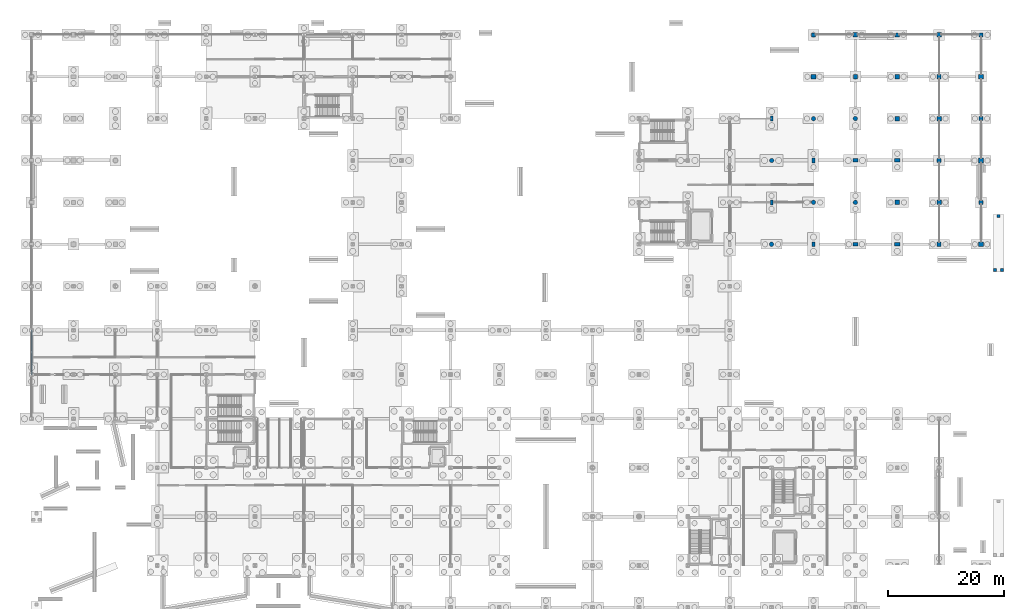
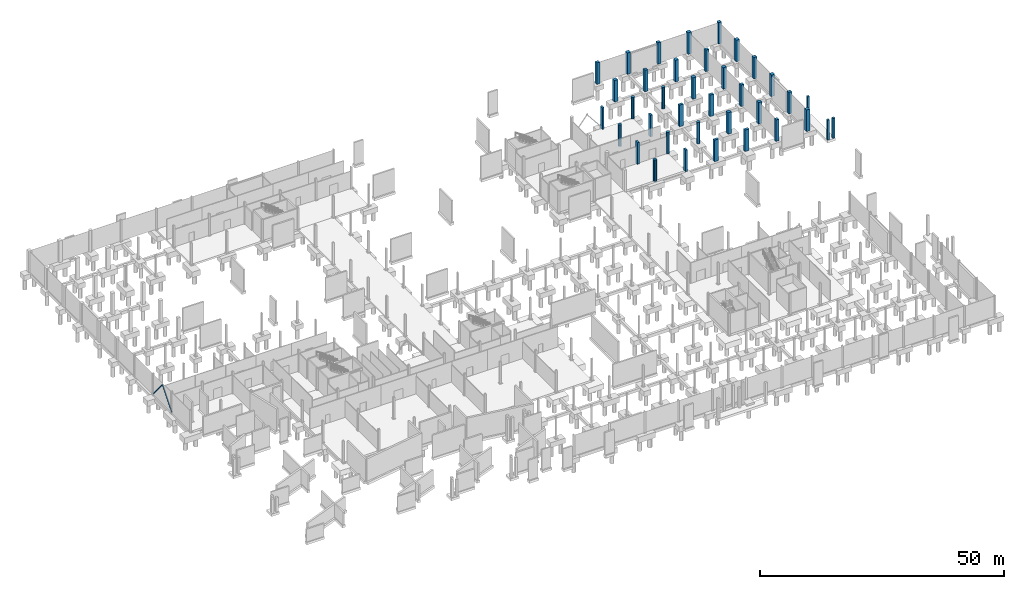
# One storey, part 32 of 61: 37 columns, 2 members.
"""IFC4 building model written with IfcOpenShell, lengths in metres."""

from ifc_helpers import new_model, si_unit, direction, frame, origin, origin_2d, place, context, subcontext, project, spatial, rectangle, circle, hollow_circle, extrude, material, material_profile, profile_set, type_object, element, save


model = new_model("IFC4")

# Units and contexts
model_context = context("Model", 3, precision=1e-05, world=origin(), true_north=direction((0.0, 1.0)))
body_context = subcontext(model_context, "Body", "Model", "MODEL_VIEW")
ifc_project = project(units=[si_unit("LENGTHUNIT", "METRE"), si_unit("AREAUNIT", "SQUARE_METRE"), si_unit("VOLUMEUNIT", "CUBIC_METRE"), si_unit("PLANEANGLEUNIT", "RADIAN"), si_unit("MASSUNIT", "GRAM", prefix="KILO")], contexts=[model_context])

# Site, building, storey
site_placement = place(None, origin())
site = spatial("IfcSite", under=ifc_project, at=site_placement, CompositionType="ELEMENT")
building_placement = place(site_placement, origin())
building = spatial("IfcBuilding", under=site, at=building_placement, Name="Calvrana Isthmian Art Gallery", CompositionType="ELEMENT")
storey_placement = place(building_placement, frame((0.0, 0.0, -5.39990234375)))
storey = spatial("IfcBuildingStorey", under=building, at=storey_placement, Name="B1", CompositionType="ELEMENT", Elevation=-5.39990234375)

# Columns
ifc_material_1 = material(Name="Concrete C40/50", Category="concrete")
ifc_material_profile_1 = material_profile(ifc_material_1, rectangle(XDim=0.449951171875, YDim=0.85009765625, at=origin_2d()), Name="RC450X850")
ifc_profile_set_1 = profile_set([ifc_material_profile_1], Name="Concrete C40/50")
column_type_1 = type_object("IfcColumnType", Name="COL-RC-RC450X850", PredefinedType="COLUMN", material=ifc_profile_set_1)
for number, where, z_axis, x_axis, name in (
    (1, (127.199951171875, 84.0, 0.0), (0.0, 0.0, 1.0), (1.0, 0.0, 0.0), "Column 17/L B1"),
    (2, (127.199951171875, 98.39990234375, 0.0), (0.0, 0.0, 1.0), (1.0, 0.0, 0.0), "Column 17/N B1"),
    (3, (134.39990234375, 76.800048828125, 0.0), (0.0, 0.0, 1.0), (1.0, 0.0, 0.0), "Column 18/K B1"),
    (4, (134.39990234375, 91.199951171875, 0.0), (0.0, 0.0, 1.0), (1.0, 0.0, 0.0), "Column 18/M B1"),
):
    element("IfcColumn", number, at=place(storey_placement, frame(where, z_axis=z_axis, x_axis=x_axis)), inside=storey, type_object=column_type_1, Name=name, PredefinedType="COLUMN", context=body_context, shape_type="SweptSolid", body=[
        extrude(rectangle(XDim=0.449951171875, YDim=0.85009765625, at=origin_2d()), origin(), (0.0, 0.0, 1.0), 5.39990234375),
    ])
ifc_material_profile_2 = material_profile(ifc_material_1, rectangle(XDim=0.5, YDim=0.5, at=origin_2d()), Name="RC500X500")
ifc_profile_set_2 = profile_set([ifc_material_profile_2], Name="Concrete C40/50")
column_type_2 = type_object("IfcColumnType", Name="COL-RC-RC500X500", PredefinedType="COLUMN", material=ifc_profile_set_2)
for number, where, z_axis, x_axis, name in (
    (5, (165.570068359375, 72.3701171875, -0.4501953125), (0.0, 0.0, 1.0), (1.0, 0.0, 0.0), "Apron pedestal SLB_APR_EAST_BENCH-A"),
    (6, (166.830078125, 72.3701171875, -0.4501953125), (0.0, 0.0, 1.0), (1.0, 0.0, 0.0), "Apron pedestal SLB_APR_EAST_BENCH-B"),
    (7, (166.199951171875, 81.6298828125, -0.4501953125), (0.0, 0.0, 1.0), (1.0, 0.0, 0.0), "Apron pedestal SLB_APR_EAST_BENCH-C"),
):
    element("IfcColumn", number, at=place(storey_placement, frame(where, z_axis=z_axis, x_axis=x_axis)), inside=storey, type_object=column_type_2, Name=name, PredefinedType="COLUMN", context=body_context, shape_type="SweptSolid", body=[
        extrude(rectangle(XDim=0.5, YDim=0.5, at=origin_2d()), origin(), (0.0, 0.0, 1.0), 5.0),
    ])
ifc_material_profile_3 = material_profile(ifc_material_1, rectangle(XDim=0.699951171875, YDim=0.699951171875, at=origin_2d()), Name="RC700X700")
ifc_profile_set_3 = profile_set([ifc_material_profile_3], Name="Concrete C40/50")
column_type_3 = type_object("IfcColumnType", Name="COL-RC-RC700X700", PredefinedType="COLUMN", material=ifc_profile_set_3)
for number, where, z_axis, x_axis, name in (
    (8, (134.39990234375, 112.800048828125, 0.0), (0.0, 0.0, 1.0), (1.0, 0.0, 0.0), "Column 18/P B1"),
    (9, (141.60009765625, 105.60009765625, 0.0), (0.0, 0.0, 1.0), (1.0, 0.0, 0.0), "Column 19/O B1"),
    (10, (148.800048828125, 112.800048828125, 0.0), (0.0, 0.0, 1.0), (1.0, 0.0, 0.0), "Column 20/P B1"),
    (11, (156.0, 76.800048828125, 0.0), (0.0, 0.0, 1.0), (1.0, 0.0, 0.0), "Column 21/K B1"),
    (12, (156.0, 91.199951171875, 0.0), (0.0, 0.0, 1.0), (1.0, 0.0, 0.0), "Column 21/M B1"),
    (13, (156.0, 105.60009765625, 0.0), (0.0, 0.0, 1.0), (1.0, 0.0, 0.0), "Column 21/O B1"),
    (14, (163.199951171875, 84.0, 0.0), (0.0, 0.0, 1.0), (1.0, 0.0, 0.0), "Column 22/L B1"),
    (15, (163.199951171875, 98.39990234375, 0.0), (0.0, 0.0, 1.0), (1.0, 0.0, 0.0), "Column 22/N B1"),
    (16, (163.199951171875, 112.800048828125, 0.0), (0.0, 0.0, 1.0), (1.0, 0.0, 0.0), "Column 22/P B1"),
):
    element("IfcColumn", number, at=place(storey_placement, frame(where, z_axis=z_axis, x_axis=x_axis)), inside=storey, type_object=column_type_3, Name=name, PredefinedType="COLUMN", context=body_context, shape_type="SweptSolid", body=[
        extrude(rectangle(XDim=0.699951171875, YDim=0.699951171875, at=origin_2d()), origin(), (0.0, 0.0, 1.0), 5.39990234375),
    ])
ifc_material_profile_4 = material_profile(ifc_material_1, circle(Radius=0.375, at=origin_2d()), Name="RC750D")
ifc_profile_set_4 = profile_set([ifc_material_profile_4], Name="Concrete C40/50")
column_type_4 = type_object("IfcColumnType", Name="COL-RC-RC750D", PredefinedType="COLUMN", material=ifc_profile_set_4)
for number, where, z_axis, x_axis, name in (
    (17, (127.199951171875, 76.800048828125, 0.0), (0.0, 0.0, 1.0), (1.0, 0.0, 0.0), "Column 17/K B1"),
    (18, (127.199951171875, 91.199951171875, 0.0), (0.0, 0.0, 1.0), (1.0, 0.0, 0.0), "Column 17/M B1"),
    (19, (134.39990234375, 84.0, 0.0), (0.0, 0.0, 1.0), (1.0, 0.0, 0.0), "Column 18/L B1"),
    (20, (134.39990234375, 98.39990234375, 0.0), (0.0, 0.0, 1.0), (1.0, 0.0, 0.0), "Column 18/N B1"),
    (21, (141.60009765625, 84.0, 0.0), (0.0, 0.0, 1.0), (1.0, 0.0, 0.0), "Column 19/L B1"),
    (22, (141.60009765625, 98.39990234375, 0.0), (0.0, 0.0, 1.0), (1.0, 0.0, 0.0), "Column 19/N B1"),
):
    element("IfcColumn", number, at=place(storey_placement, frame(where, z_axis=z_axis, x_axis=x_axis)), inside=storey, type_object=column_type_4, Name=name, PredefinedType="COLUMN", context=body_context, shape_type="SweptSolid", body=[
        extrude(circle(Radius=0.375, at=origin_2d()), origin(), (0.0, 0.0, 1.0), 5.39990234375),
    ])
ifc_material_profile_5 = material_profile(ifc_material_1, rectangle(XDim=0.800048828125, YDim=0.800048828125, at=origin_2d()), Name="RC800X800")
ifc_profile_set_5 = profile_set([ifc_material_profile_5], Name="Concrete C40/50")
column_type_5 = type_object("IfcColumnType", Name="COL-RC-RC800X800", PredefinedType="COLUMN", material=ifc_profile_set_5)
for number, where, z_axis, x_axis, name in (
    (23, (134.39990234375, 105.60009765625, 0.0), (0.0, 0.0, 1.0), (1.0, 0.0, 0.0), "Column 18/O B1"),
    (24, (141.60009765625, 112.800048828125, 0.0), (0.0, 0.0, 1.0), (1.0, 0.0, 0.0), "Column 19/P B1"),
    (25, (148.800048828125, 84.0, 0.0), (0.0, 0.0, 1.0), (1.0, 0.0, 0.0), "Column 20/L B1"),
    (26, (148.800048828125, 98.39990234375, 0.0), (0.0, 0.0, 1.0), (1.0, 0.0, 0.0), "Column 20/N B1"),
    (27, (148.800048828125, 105.60009765625, 0.0), (0.0, 0.0, 1.0), (1.0, 0.0, 0.0), "Column 20/O B1"),
    (28, (156.0, 84.0, 0.0), (0.0, 0.0, 1.0), (1.0, 0.0, 0.0), "Column 21/L B1"),
    (29, (156.0, 98.39990234375, 0.0), (0.0, 0.0, 1.0), (1.0, 0.0, 0.0), "Column 21/N B1"),
    (30, (156.0, 112.800048828125, 0.0), (0.0, 0.0, 1.0), (1.0, 0.0, 0.0), "Column 21/P B1"),
    (31, (163.199951171875, 76.800048828125, 0.0), (0.0, 0.0, 1.0), (1.0, 0.0, 0.0), "Column 22/K B1"),
    (32, (163.199951171875, 91.199951171875, 0.0), (0.0, 0.0, 1.0), (1.0, 0.0, 0.0), "Column 22/M B1"),
    (33, (163.199951171875, 105.60009765625, 0.0), (0.0, 0.0, 1.0), (1.0, 0.0, 0.0), "Column 22/O B1"),
):
    element("IfcColumn", number, at=place(storey_placement, frame(where, z_axis=z_axis, x_axis=x_axis)), inside=storey, type_object=column_type_5, Name=name, PredefinedType="COLUMN", context=body_context, shape_type="SweptSolid", body=[
        extrude(rectangle(XDim=0.800048828125, YDim=0.800048828125, at=origin_2d()), origin(), (0.0, 0.0, 1.0), 5.39990234375),
    ])
ifc_material_profile_6 = material_profile(ifc_material_1, rectangle(XDim=0.89990234375, YDim=0.60009765625, at=origin_2d()), Name="RC900X600")
ifc_profile_set_6 = profile_set([ifc_material_profile_6], Name="Concrete C40/50")
column_type_6 = type_object("IfcColumnType", Name="COL-RC-RC900X600", PredefinedType="COLUMN", material=ifc_profile_set_6)
for number, where, z_axis, x_axis, name in (
    (34, (141.60009765625, 76.800048828125, 0.0), (0.0, 0.0, 1.0), (1.0, 0.0, 0.0), "Column 19/K B1"),
    (35, (141.60009765625, 91.199951171875, 0.0), (0.0, 0.0, 1.0), (1.0, 0.0, 0.0), "Column 19/M B1"),
    (36, (148.800048828125, 76.800048828125, 0.0), (0.0, 0.0, 1.0), (1.0, 0.0, 0.0), "Column 20/K B1"),
    (37, (148.800048828125, 91.199951171875, 0.0), (0.0, 0.0, 1.0), (1.0, 0.0, 0.0), "Column 20/M B1"),
):
    element("IfcColumn", number, at=place(storey_placement, frame(where, z_axis=z_axis, x_axis=x_axis)), inside=storey, type_object=column_type_6, Name=name, PredefinedType="COLUMN", context=body_context, shape_type="SweptSolid", body=[
        extrude(rectangle(XDim=0.89990234375, YDim=0.60009765625, at=origin_2d()), origin(), (0.0, 0.0, 1.0), 5.39990234375),
    ])

# Members
ifc_material_2 = material(Name="Steel ASTM A500 Gr C", Category="steel")
ifc_material_profile_7 = material_profile(ifc_material_2, hollow_circle(Radius=0.136474609375, WallThickness=0.0126953125, at=origin_2d()), Name="HSS273.1X12.7")
ifc_profile_set_7 = profile_set([ifc_material_profile_7], Name="Steel ASTM A500 Gr C")
member_type = type_object("IfcMemberType", Name="MB-BR-CHS273", PredefinedType="BRACE", material=ifc_profile_set_7)
for number, where, z_axis, x_axis, name in (
    (38, (0.0, 54.39990234375, 0.14990234375), (0.0, 0.632060638276, 0.774918930949), (-1.0, 0.0, 0.0), "Chevron lateral brace B1-16A"),
    (39, (0.0, 62.0, 0.14990234375), (0.0, -0.632060638276, 0.774918930949), (1.0, 0.0, 0.0), "Chevron lateral brace B1-16B"),
):
    element("IfcMember", number, at=place(storey_placement, frame(where, z_axis=z_axis, x_axis=x_axis)), inside=storey, type_object=member_type, Name=name, PredefinedType="BRACE", context=body_context, shape_type="SweptSolid", body=[
        extrude(hollow_circle(Radius=0.136474609375, WallThickness=0.0126953125, at=origin_2d()), origin(), (0.0, 0.0, 1.0), 6.01220703125),
    ])

save(model, "model.ifc")
